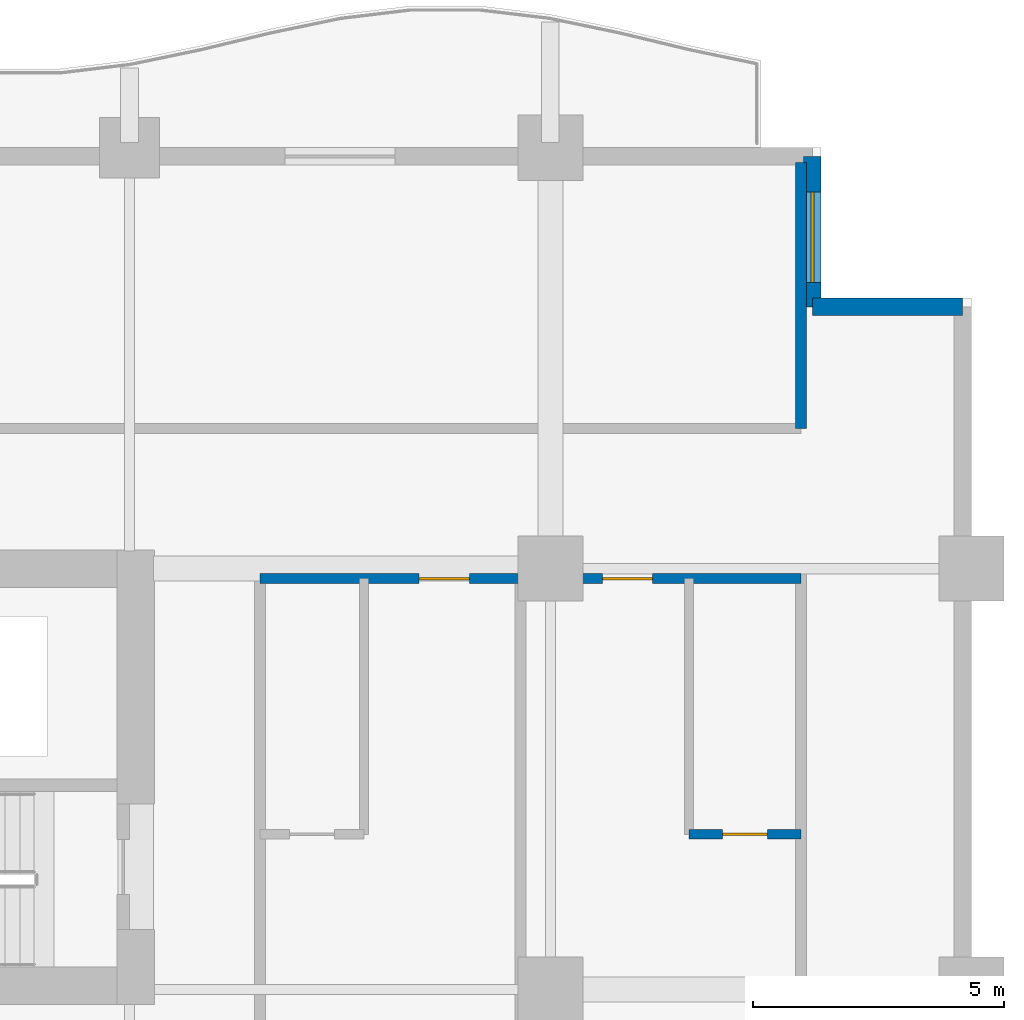
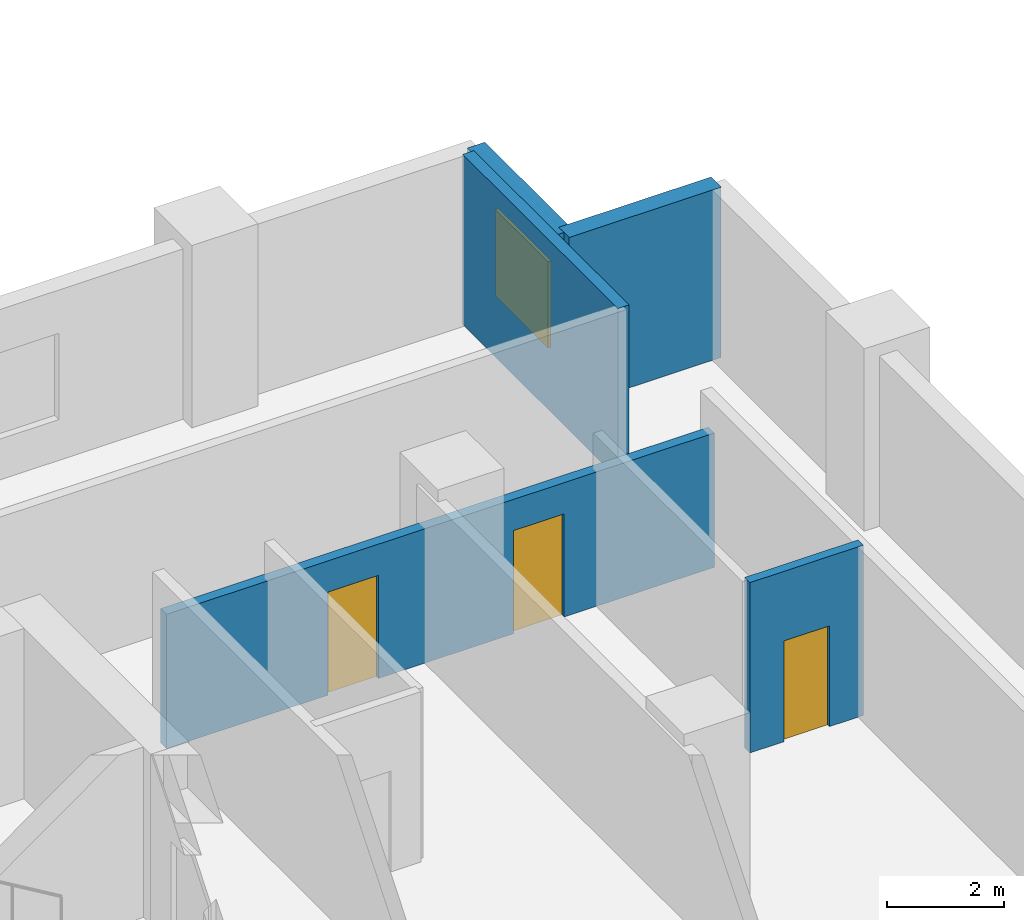
# One storey, part 10 of 18: 5 walls, 3 doors, 1 window, 4 openings.
"""IFC4 building model written with IfcOpenShell, lengths in metres."""

from ifc_helpers import new_model, si_unit, direction, frame, frame_2d, origin, place, context, subcontext, project, spatial, rectangle, extrude, material, layer, layer_set, type_object, element, fill, save


model = new_model("IFC4")

# Units and contexts
model_context = context("Model", 3, precision=1e-05, world=origin(), true_north=direction((0.0, 1.0)))
body_context = subcontext(model_context, "Body", "Model", "MODEL_VIEW")
ifc_project = project(units=[si_unit("LENGTHUNIT", "METRE"), si_unit("AREAUNIT", "SQUARE_METRE"), si_unit("VOLUMEUNIT", "CUBIC_METRE"), si_unit("PLANEANGLEUNIT", "RADIAN"), si_unit("MASSUNIT", "GRAM", prefix="KILO")], contexts=[model_context])

# Site, building, storey
site_placement = place(None, origin())
site = spatial("IfcSite", under=ifc_project, at=site_placement, CompositionType="ELEMENT")
building_placement = place(site_placement, origin())
building = spatial("IfcBuilding", under=site, at=building_placement, Name="Koriwani Terraces Tower", CompositionType="ELEMENT")
storey_placement = place(building_placement, frame((0.0, 0.0, 145.60009765625)))
storey = spatial("IfcBuildingStorey", under=building, at=storey_placement, Name="L35", CompositionType="ELEMENT", Elevation=145.60009765625)

# Wall, openings, doors
ifc_material_1 = material(Name="Autoclaved Cellular Concrete Blockwork", Category="masonry")
ifc_layer_1 = layer(ifc_material_1, 0.199951171875, Name="Autoclaved Cellular Concrete Blockwork")
ifc_layer_set_1 = layer_set([ifc_layer_1], Name="Autoclaved Cellular Concrete Blockwork")
wall_type_1 = type_object("IfcWallType", Name="WALL_CORRIDOR_200", PredefinedType="PARTITIONING", material=ifc_layer_set_1)
wall_1_placement = place(storey_placement, frame((61.39990234375, 25.0, 0.0), z_axis=(0.0, 0.0, 1.0), x_axis=(1.0, 0.0, 0.0)))
wall_1 = element("IfcWall", 1, at=wall_1_placement, inside=storey, type_object=wall_type_1, Name="L35 Interior Wall WCOR-L35-SE-0", PredefinedType="PARTITIONING", context=body_context, shape_type="SweptSolid", body=[
    extrude(rectangle(XDim=10.800048828125, YDim=0.199951171875, at=frame_2d((5.39990234375, 0.0))), origin(), (0.0, 0.0, 1.0), 2.7998046875),
])
opening_1_placement = place(wall_1_placement, frame((3.179931640625, 0.0, 0.0)))
opening_1 = element("IfcOpeningElement", 2, at=opening_1_placement, cuts=wall_1, Name="Opening D-05", PredefinedType="OPENING", context=body_context, shape_type="SweptSolid", body=[
    extrude(rectangle(XDim=1.0, YDim=2.14990234375, at=frame_2d((0.5, 1.074951171875))), frame((0.0, 0.10986328125, 0.0), z_axis=(0.0, -1.0, 0.0), x_axis=(1.0, 0.0, 0.0)), (0.0, 0.0, 1.0), 0.219970703125),
])
opening_2_placement = place(wall_1_placement, frame((6.840087890625, 0.0, 0.0)))
opening_2 = element("IfcOpeningElement", 3, at=opening_2_placement, cuts=wall_1, Name="Opening D-05", PredefinedType="OPENING", context=body_context, shape_type="SweptSolid", body=[
    extrude(rectangle(XDim=1.0, YDim=2.14990234375, at=frame_2d((0.5, 1.074951171875))), frame((0.0, 0.10986328125, 0.0), z_axis=(0.0, -1.0, 0.0), x_axis=(1.0, 0.0, 0.0)), (0.0, 0.0, 1.0), 0.219970703125),
])
ifc_material_2 = material(Name="Architectural Oak Fire Door", Category="wood")
door_type_1 = type_object("IfcDoorType", Name="DOOR_SUITE_ENTRY_1000X2150", OperationType="NOTDEFINED", PredefinedType="DOOR", material=ifc_material_2)
door_1_placement = place(opening_1_placement, origin())
door_1 = element("IfcDoor", 4, at=door_1_placement, inside=storey, type_object=door_type_1, Name="Luxury Hotel Suite 35SE1 Entrance Door", OperationType="SINGLE_SWING_LEFT", OverallHeight=2.14990234375, OverallWidth=1.0, PredefinedType="DOOR", context=body_context, shape_type="SweptSolid", body=[
    extrude(rectangle(XDim=1.0, YDim=2.14990234375, at=frame_2d((0.5, 1.074951171875))), frame((0.0, 0.02490234375, 0.0), z_axis=(0.0, -1.0, 0.0), x_axis=(1.0, 0.0, 0.0)), (0.0, 0.0, 1.0), 0.050048828125),
])
fill(opening_1, door_1)
door_2_placement = place(opening_2_placement, origin())
door_2 = element("IfcDoor", 5, at=door_2_placement, inside=storey, type_object=door_type_1, Name="Luxury Hotel Suite 35SE2 Entrance Door", OperationType="SINGLE_SWING_LEFT", OverallHeight=2.14990234375, OverallWidth=1.0, PredefinedType="DOOR", context=body_context, shape_type="SweptSolid", body=[
    extrude(rectangle(XDim=1.0, YDim=2.14990234375, at=frame_2d((0.5, 1.074951171875))), frame((0.0, 0.02490234375, 0.0), z_axis=(0.0, -1.0, 0.0), x_axis=(1.0, 0.0, 0.0)), (0.0, 0.0, 1.0), 0.050048828125),
])
fill(opening_2, door_2)

# Wall
ifc_layer_2 = layer(ifc_material_1, 0.219970703125, Name="Autoclaved Cellular Concrete Blockwork")
ifc_layer_set_2 = layer_set([ifc_layer_2], Name="Autoclaved Cellular Concrete Blockwork")
wall_type_2 = type_object("IfcWallType", Name="WALL_DEMISING_220", PredefinedType="PARTITIONING", material=ifc_layer_set_2)
wall_2_placement = place(storey_placement, frame((72.199951171875, 28.0, 0.0), z_axis=(0.0, 0.0, 1.0), x_axis=(0.0, 1.0, 0.0)))
element("IfcWall", 6, at=wall_2_placement, inside=storey, type_object=wall_type_2, Name="L35 Interior Wall WSEC-E-L35", PredefinedType="PARTITIONING", context=body_context, shape_type="SweptSolid", body=[
    extrude(rectangle(XDim=5.300048828125, YDim=0.219970703125, at=frame_2d((2.64990234375, 0.0))), origin(), (0.0, 0.0, 1.0), 3.5498046875),
])

# Wall, opening, window
ifc_material_3 = material(Name="Concrete C50/60", Category="concrete")
ifc_layer_3 = layer(ifc_material_3, 0.35009765625, Name="Concrete C50/60")
ifc_layer_set_3 = layer_set([ifc_layer_3], Name="Concrete C50/60")
wall_type_3 = type_object("IfcWallType", Name="WALL_EXT_BRUTALIST_350", PredefinedType="STANDARD", material=ifc_layer_set_3)
wall_3_placement = place(storey_placement, frame((72.425048828125, 33.425048828125, 0.0), z_axis=(0.0, 0.0, 1.0), x_axis=(0.0, -1.0, 0.0)))
wall_3 = element("IfcWall", 7, at=wall_3_placement, inside=storey, type_object=wall_type_3, Name="L35 Fair-Faced Brutalist Exterior Wall (N10)", PredefinedType="STANDARD", context=body_context, shape_type="SweptSolid", body=[
    extrude(rectangle(XDim=3.0, YDim=0.35009765625, at=frame_2d((1.5, 0.0))), origin(), (0.0, 0.0, 1.0), 3.5498046875),
])
opening_3_placement = place(wall_3_placement, frame((0.71240234375, 0.0, 0.85009765625)))
opening_3 = element("IfcOpeningElement", 8, at=opening_3_placement, cuts=wall_3, Name="Opening W-04", PredefinedType="OPENING", context=body_context, shape_type="SweptSolid", body=[
    extrude(rectangle(XDim=1.800048828125, YDim=1.800048828125, at=frame_2d((0.89990234375, 0.89990234375))), frame((0.0, 0.18505859375, 0.0), z_axis=(0.0, -1.0, 0.0), x_axis=(1.0, 0.0, 0.0)), (0.0, 0.0, 1.0), 0.3701171875),
])
ifc_material_4 = material(Name="Tempered Laminated Low-E Glass", Category="glass")
window_type = type_object("IfcWindowType", Name="WIN_RES_BED_1800X1800", PartitioningType="DOUBLE_PANEL_VERTICAL", PredefinedType="WINDOW", material=ifc_material_4)
window_placement = place(opening_3_placement, origin())
window = element("IfcWindow", 9, at=window_placement, inside=storey, type_object=window_type, Name="L35 Exterior Window (N10-R52)", OverallHeight=1.800048828125, OverallWidth=1.800048828125, PartitioningType="SINGLE_PANEL", PredefinedType="WINDOW", context=body_context, shape_type="SweptSolid", body=[
    extrude(rectangle(XDim=1.800048828125, YDim=1.800048828125, at=frame_2d((0.89990234375, 0.89990234375))), frame((0.0, 0.030029296875, 0.0), z_axis=(0.0, -1.0, 0.0), x_axis=(1.0, 0.0, 0.0)), (0.0, 0.0, 1.0), 0.06005859375),
])
fill(opening_3, window)

# Wall
wall_4_placement = place(storey_placement, frame((72.425048828125, 30.425048828125, 0.0), z_axis=(0.0, 0.0, 1.0), x_axis=(1.0, 0.0, 0.0)))
element("IfcWall", 10, at=wall_4_placement, inside=storey, type_object=wall_type_3, Name="L35 Fair-Faced Brutalist Exterior Wall (N11)", PredefinedType="STANDARD", context=body_context, shape_type="SweptSolid", body=[
    extrude(rectangle(XDim=3.0, YDim=0.35009765625, at=frame_2d((1.5, 0.0))), origin(), (0.0, 0.0, 1.0), 3.5498046875),
])

# Wall, opening, door
ifc_material_5 = material(Name="Fire-Rated Acoustic Gypsum Partition", Category="masonry")
ifc_layer_4 = layer(ifc_material_5, 0.179931640625, Name="Fire-Rated Acoustic Gypsum Partition")
ifc_layer_set_4 = layer_set([ifc_layer_4], Name="Fire-Rated Acoustic Gypsum Partition")
wall_type_4 = type_object("IfcWallType", Name="WALL_PLUMBING_180", PredefinedType="PLUMBINGWALL", material=ifc_layer_set_4)
wall_5_placement = place(storey_placement, frame((69.9599609375, 19.89990234375, 0.0), z_axis=(0.0, 0.0, 1.0), x_axis=(1.0, 0.0, 0.0)))
wall_5 = element("IfcWall", 11, at=wall_5_placement, inside=storey, type_object=wall_type_4, Name="L35 Interior Wall WBTH1-L35-SE-1", PredefinedType="PLUMBINGWALL", context=body_context, shape_type="SweptSolid", body=[
    extrude(rectangle(XDim=2.239990234375, YDim=0.179931640625, at=frame_2d((1.1201171875, 0.0))), origin(), (0.0, 0.0, 1.0), 3.5498046875),
])
opening_4_placement = place(wall_5_placement, frame((0.669921875, 0.0, 0.0)))
opening_4 = element("IfcOpeningElement", 12, at=opening_4_placement, cuts=wall_5, Name="Opening D-07", PredefinedType="OPENING", context=body_context, shape_type="SweptSolid", body=[
    extrude(rectangle(XDim=0.89990234375, YDim=2.10009765625, at=frame_2d((0.449951171875, 1.050048828125))), frame((0.0, 0.10009765625, 0.0), z_axis=(0.0, -1.0, 0.0), x_axis=(1.0, 0.0, 0.0)), (0.0, 0.0, 1.0), 0.199951171875),
])
door_type_2 = type_object("IfcDoorType", Name="DOOR_BATH_INT_900X2100", OperationType="NOTDEFINED", PredefinedType="DOOR", material=ifc_material_2)
door_3_placement = place(opening_4_placement, origin())
door_3 = element("IfcDoor", 13, at=door_3_placement, inside=storey, type_object=door_type_2, Name="En-Suite Bathroom 35SE2 Door", OperationType="SINGLE_SWING_RIGHT", OverallHeight=2.10009765625, OverallWidth=0.89990234375, PredefinedType="DOOR", context=body_context, shape_type="SweptSolid", body=[
    extrude(rectangle(XDim=0.89990234375, YDim=2.10009765625, at=frame_2d((0.449951171875, 1.050048828125))), frame((0.0, 0.02490234375, 0.0), z_axis=(0.0, -1.0, 0.0), x_axis=(1.0, 0.0, 0.0)), (0.0, 0.0, 1.0), 0.050048828125),
])
fill(opening_4, door_3)

save(model, "model.ifc")
